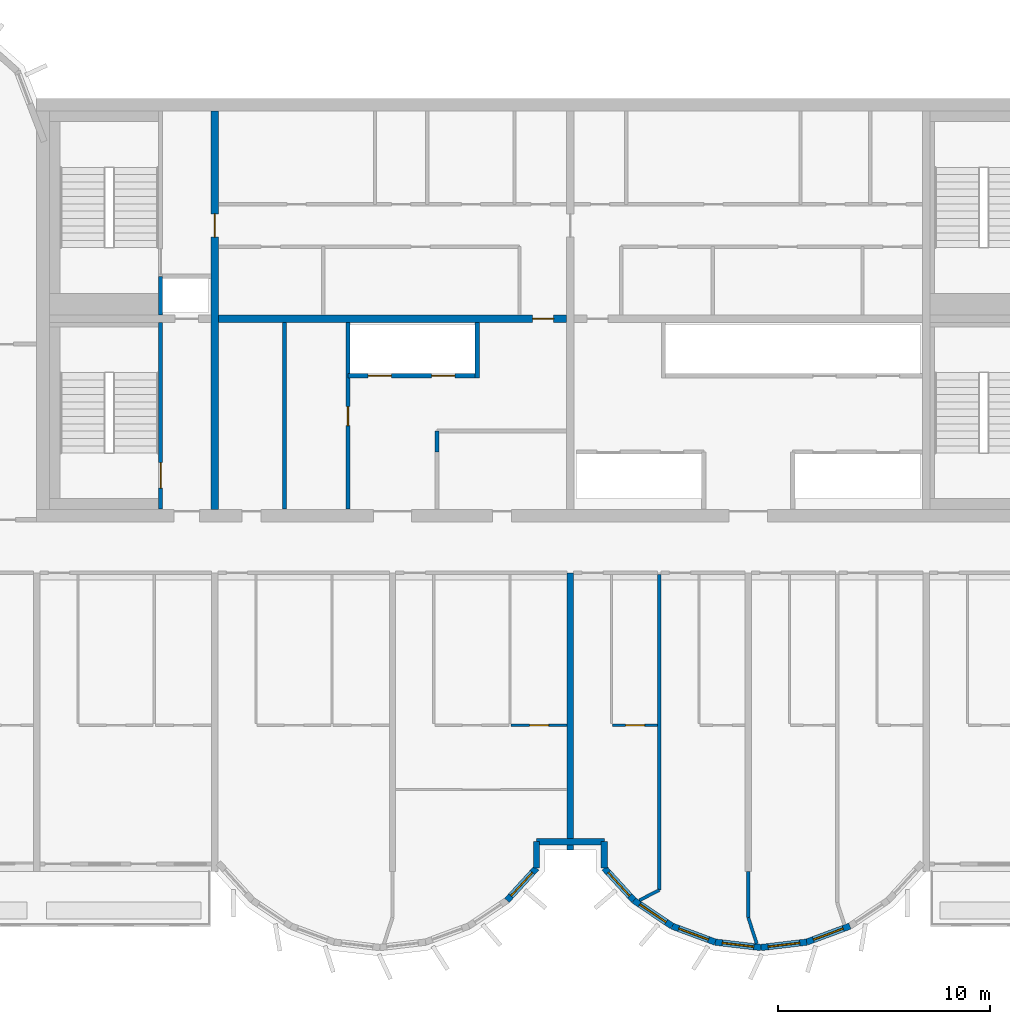
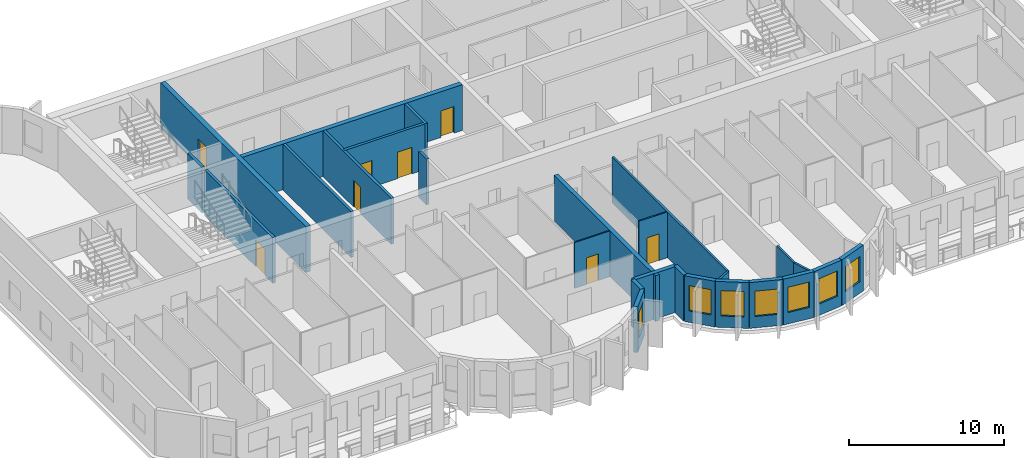
# One storey, part 4 of 12: 26 walls, 8 doors, 7 windows, 15 openings.
"""IFC4 building model written with IfcOpenShell, lengths in metres."""

from ifc_helpers import new_model, si_unit, direction, frame, frame_2d, origin, place, context, subcontext, project, spatial, rectangle, extrude, source, transform, mapped, material, layer, layer_set, type_object, element, fill, save


model = new_model("IFC4")

# Units and contexts
model_context = context("Model", 3, precision=1e-05, world=origin(), true_north=direction((0.0, 1.0)))
body_context = subcontext(model_context, "Body", "Model", "MODEL_VIEW")
ifc_project = project(units=[si_unit("LENGTHUNIT", "METRE"), si_unit("AREAUNIT", "SQUARE_METRE"), si_unit("VOLUMEUNIT", "CUBIC_METRE"), si_unit("PLANEANGLEUNIT", "RADIAN"), si_unit("MASSUNIT", "GRAM", prefix="KILO")], contexts=[model_context])

# Site, building, storey
site_placement = place(None, origin())
site = spatial("IfcSite", under=ifc_project, at=site_placement, CompositionType="ELEMENT")
building_placement = place(site_placement, origin())
building = spatial("IfcBuilding", under=site, at=building_placement, Name="Vanashikhar Sky Hotel", CompositionType="ELEMENT")
storey_placement = place(building_placement, frame((0.0, 0.0, 221.800048828125)))
storey = spatial("IfcBuildingStorey", under=building, at=storey_placement, Name="L53", CompositionType="ELEMENT", Elevation=221.800048828125)

# Wall, opening, door
ifc_material_1 = material(Name="Concrete M60", Category="concrete")
ifc_layer_1 = layer(ifc_material_1, 0.35009765625)
ifc_layer_set_1 = layer_set([ifc_layer_1], Name="RC core inner wall 350 Concrete M60")
wall_type_1 = type_object("IfcWallType", Name="RC core inner wall 350 Concrete M60", PredefinedType="SHEAR", material=ifc_layer_set_1)
shared_shape_1 = source(origin(), body_context, "Body", "SweptSolid", [
    extrude(rectangle(XDim=18.7998046875, YDim=0.35009765625, at=frame_2d((9.39990234375, 0.0))), origin(), (0.0, 0.0, 1.0), 3.619873046875),
])
wall_1_placement = place(storey_placement, frame((33.60009765625, 22.60009765625, 0.0), z_axis=(0.0, 0.0, 1.0), x_axis=(0.0, 1.0, 0.0)))
wall_1 = element("IfcWall", 1, at=wall_1_placement, inside=storey, type_object=wall_type_1, Name="KW-L53-KX1", PredefinedType="SHEAR", context=body_context, shape_type="MappedRepresentation", body=[
    mapped(shared_shape_1, transform((0.0, 0.0, 0.0), scale=1.0)),
])
shared_shape_2 = source(origin(), body_context, "Body", "SweptSolid", [
    extrude(rectangle(XDim=1.10009765625, YDim=2.10009765625, at=frame_2d((0.550048828125, 1.050048828125))), frame((0.0, 0.18505859375, 0.0), z_axis=(0.0, -1.0, 0.0), x_axis=(1.0, 0.0, 0.0)), (0.0, 0.0, 1.0), 0.3701171875),
])
opening_1_placement = place(wall_1_placement, frame((12.85009765625, 0.0, 0.0)))
opening_1 = element("IfcOpeningElement", 2, at=opening_1_placement, cuts=wall_1, Name="Opening DC-4-C", PredefinedType="OPENING", context=body_context, shape_type="MappedRepresentation", body=[
    mapped(shared_shape_2, transform((0.0, 0.0, 0.0), scale=1.0)),
])
ifc_material_2 = material(Name="Steel", Category="steel")
door_type_1 = type_object("IfcDoorType", Name="Service door 1100 FD60", OperationType="NOTDEFINED", PredefinedType="DOOR", material=ifc_material_2)
shared_shape_3 = source(origin(), body_context, "Body", "SweptSolid", [
    extrude(rectangle(XDim=1.10009765625, YDim=2.10009765625, at=frame_2d((0.550048828125, 1.050048828125))), frame((0.0, 0.02490234375, 0.0), z_axis=(0.0, -1.0, 0.0), x_axis=(1.0, 0.0, 0.0)), (0.0, 0.0, 1.0), 0.050048828125),
])
door_1_placement = place(opening_1_placement, origin())
door_1 = element("IfcDoor", 3, at=door_1_placement, inside=storey, type_object=door_type_1, Name="Service door 1100 FD60", OperationType="SINGLE_SWING_LEFT", OverallHeight=2.10009765625, OverallWidth=1.10009765625, PredefinedType="DOOR", context=body_context, shape_type="MappedRepresentation", body=[
    mapped(shared_shape_3, transform((0.0, 0.0, 0.0), scale=1.0)),
])
fill(opening_1, door_1)

shared_shape_4 = source(origin(), body_context, "Body", "SweptSolid", [
    extrude(rectangle(XDim=16.4501953125, YDim=0.35009765625, at=frame_2d((8.22509765625, 0.0))), origin(), (0.0, 0.0, 1.0), 3.619873046875),
])
wall_2_placement = place(storey_placement, frame((33.77490234375, 31.60009765625, 0.0), z_axis=(0.0, 0.0, 1.0), x_axis=(1.0, 0.0, 0.0)))
wall_2 = element("IfcWall", 4, at=wall_2_placement, inside=storey, type_object=wall_type_1, Name="KW-L53-KY2", PredefinedType="SHEAR", context=body_context, shape_type="MappedRepresentation", body=[
    mapped(shared_shape_4, transform((0.0, 0.0, 0.0), scale=1.0)),
])
shared_shape_5 = source(origin(), body_context, "Body", "SweptSolid", [
    extrude(rectangle(XDim=1.0, YDim=2.10009765625, at=frame_2d((0.5, 1.050048828125))), frame((0.0, 0.18505859375, 0.0), z_axis=(0.0, -1.0, 0.0), x_axis=(1.0, 0.0, 0.0)), (0.0, 0.0, 1.0), 0.3701171875),
])
opening_2_placement = place(wall_2_placement, frame((14.8369140625, 0.0, 0.0)))
opening_2 = element("IfcOpeningElement", 5, at=opening_2_placement, cuts=wall_2, Name="Opening DC-4", PredefinedType="OPENING", context=body_context, shape_type="MappedRepresentation", body=[
    mapped(shared_shape_5, transform((0.0, 0.0, 0.0), scale=1.0)),
])
door_type_2 = type_object("IfcDoorType", Name="Service door 1000 FD60", OperationType="NOTDEFINED", PredefinedType="DOOR", material=ifc_material_2)
shared_shape_6 = source(origin(), body_context, "Body", "SweptSolid", [
    extrude(rectangle(XDim=1.0, YDim=2.10009765625, at=frame_2d((0.5, 1.050048828125))), frame((0.0, 0.02490234375, 0.0), z_axis=(0.0, -1.0, 0.0), x_axis=(1.0, 0.0, 0.0)), (0.0, 0.0, 1.0), 0.050048828125),
])
door_2_placement = place(opening_2_placement, origin())
door_2 = element("IfcDoor", 6, at=door_2_placement, inside=storey, type_object=door_type_2, Name="Service door 1000 FD60", OperationType="SINGLE_SWING_LEFT", OverallHeight=2.10009765625, OverallWidth=1.0, PredefinedType="DOOR", context=body_context, shape_type="MappedRepresentation", body=[
    mapped(shared_shape_6, transform((0.0, 0.0, 0.0), scale=1.0)),
])
fill(opening_2, door_2)

# Wall
ifc_layer_2 = layer(ifc_material_1, 0.300048828125)
ifc_layer_set_2 = layer_set([ifc_layer_2], Name="RC shear wall 300 Concrete M60")
wall_type_2 = type_object("IfcWallType", Name="RC shear wall 300 Concrete M60", PredefinedType="SHEAR", material=ifc_layer_set_2)
shared_shape_7 = source(origin(), body_context, "Body", "SweptSolid", [
    extrude(rectangle(XDim=13.10009765625, YDim=0.300048828125, at=frame_2d((6.550048828125, 0.0))), origin(), (0.0, 0.0, 1.0), 3.619873046875),
])
wall_3_placement = place(storey_placement, frame((50.39990234375, 6.5, 0.0), z_axis=(0.0, 0.0, 1.0), x_axis=(0.0, 1.0, 0.0)))
element("IfcWall", 7, at=wall_3_placement, inside=storey, type_object=wall_type_2, Name="CW-L53-XW07-1", PredefinedType="SHEAR", context=body_context, shape_type="MappedRepresentation", body=[
    mapped(shared_shape_7, transform((0.0, 0.0, 0.0), scale=1.0)),
])

# Wall, opening, window
ifc_material_3 = material(Name="Concrete M50", Category="concrete")
ifc_layer_3 = layer(ifc_material_3, 0.300048828125)
ifc_layer_set_3 = layer_set([ifc_layer_3], Name="Lobe wall 300")
wall_type_3 = type_object("IfcWallType", Name="Lobe wall 300", PredefinedType="SOLIDWALL", material=ifc_layer_set_3)
shared_shape_8 = source(origin(), body_context, "Body", "SweptSolid", [
    extrude(rectangle(XDim=2.17578125, YDim=0.300048828125, at=frame_2d((1.087890625, 0.0))), origin(), (0.0, 0.0, 1.0), 3.619873046875),
])
wall_4_placement = place(storey_placement, frame((53.395751953125, 4.13134765625, 0.0), z_axis=(0.0, 0.0, 1.0), x_axis=(0.829590746428, -0.558371913192, 0.0)))
wall_4 = element("IfcWall", 8, at=wall_4_placement, inside=storey, type_object=wall_type_3, Name="Lobe wall", PredefinedType="SOLIDWALL", context=body_context, shape_type="MappedRepresentation", body=[
    mapped(shared_shape_8, transform((0.0, 0.0, 0.0), scale=1.0)),
])
shared_shape_9 = source(origin(), body_context, "Body", "SweptSolid", [
    extrude(rectangle(XDim=1.5, YDim=2.0, at=frame_2d((0.75, 1.0))), frame((0.0, 0.16015625, 0.0), z_axis=(0.0, -1.0, 0.0), x_axis=(1.0, 0.0, 0.0)), (0.0, 0.0, 1.0), 0.320068359375),
])
opening_3_placement = place(wall_4_placement, frame((0.337890625, 0.0, 0.89990234375)))
opening_3 = element("IfcOpeningElement", 9, at=opening_3_placement, cuts=wall_4, Name="Opening WN-2", PredefinedType="OPENING", context=body_context, shape_type="MappedRepresentation", body=[
    mapped(shared_shape_9, transform((0.0, 0.0, 0.0), scale=1.0)),
])
ifc_material_4 = material(Name="Glass", Category="glass")
window_type = type_object("IfcWindowType", Name="Lobe window 1500 x 2000", PartitioningType="SINGLE_PANEL", PredefinedType="WINDOW", material=ifc_material_4)
shared_shape_10 = source(origin(), body_context, "Body", "SweptSolid", [
    extrude(rectangle(XDim=1.5, YDim=2.0, at=frame_2d((0.75, 1.0))), frame((0.0, 0.030029296875, 0.0), z_axis=(0.0, -1.0, 0.0), x_axis=(1.0, 0.0, 0.0)), (0.0, 0.0, 1.0), 0.06005859375),
])
window_1_placement = place(opening_3_placement, origin())
window_1 = element("IfcWindow", 10, at=window_1_placement, inside=storey, type_object=window_type, Name="Window WN-2", OverallHeight=2.0, OverallWidth=1.5, PartitioningType="SINGLE_PANEL", PredefinedType="WINDOW", context=body_context, shape_type="MappedRepresentation", body=[
    mapped(shared_shape_10, transform((0.0, 0.0, 0.0), scale=1.0)),
])
fill(opening_3, window_1)

wall_5_placement = place(storey_placement, frame((55.20068359375, 2.91650390625, 0.0), z_axis=(0.0, 0.0, 1.0), x_axis=(0.93754555999, -0.347862505801, 0.0)))
wall_5 = element("IfcWall", 11, at=wall_5_placement, inside=storey, type_object=wall_type_3, Name="Lobe wall", PredefinedType="SOLIDWALL", context=body_context, shape_type="MappedRepresentation", body=[
    mapped(shared_shape_8, transform((0.0, 0.0, 0.0), scale=1.0)),
])
opening_4_placement = place(wall_5_placement, frame((0.337890625, 0.0, 0.89990234375)))
opening_4 = element("IfcOpeningElement", 12, at=opening_4_placement, cuts=wall_5, Name="Opening WN-2", PredefinedType="OPENING", context=body_context, shape_type="MappedRepresentation", body=[
    mapped(shared_shape_9, transform((0.0, 0.0, 0.0), scale=1.0)),
])
window_2_placement = place(opening_4_placement, origin())
window_2 = element("IfcWindow", 13, at=window_2_placement, inside=storey, type_object=window_type, Name="Window WN-2", OverallHeight=2.0, OverallWidth=1.5, PartitioningType="SINGLE_PANEL", PredefinedType="WINDOW", context=body_context, shape_type="MappedRepresentation", body=[
    mapped(shared_shape_10, transform((0.0, 0.0, 0.0), scale=1.0)),
])
fill(opening_4, window_2)

shared_shape_11 = source(origin(), body_context, "Body", "SweptSolid", [
    extrude(rectangle(XDim=2.174560546875, YDim=0.300048828125, at=frame_2d((1.08740234375, 0.0))), origin(), (0.0, 0.0, 1.0), 3.619873046875),
])
wall_6_placement = place(storey_placement, frame((57.240478515625, 2.15966796875, 0.0), z_axis=(0.0, 0.0, 1.0), x_axis=(0.993001132889, -0.118104826659, 0.0)))
wall_6 = element("IfcWall", 14, at=wall_6_placement, inside=storey, type_object=wall_type_3, Name="Lobe wall", PredefinedType="SOLIDWALL", context=body_context, shape_type="MappedRepresentation", body=[
    mapped(shared_shape_11, transform((0.0, 0.0, 0.0), scale=1.0)),
])
opening_5_placement = place(wall_6_placement, frame((0.33740234375, 0.0, 0.89990234375)))
opening_5 = element("IfcOpeningElement", 15, at=opening_5_placement, cuts=wall_6, Name="Opening WN-2", PredefinedType="OPENING", context=body_context, shape_type="MappedRepresentation", body=[
    mapped(shared_shape_9, transform((0.0, 0.0, 0.0), scale=1.0)),
])
window_3_placement = place(opening_5_placement, origin())
window_3 = element("IfcWindow", 16, at=window_3_placement, inside=storey, type_object=window_type, Name="Window WN-2", OverallHeight=2.0, OverallWidth=1.5, PartitioningType="SINGLE_PANEL", PredefinedType="WINDOW", context=body_context, shape_type="MappedRepresentation", body=[
    mapped(shared_shape_10, transform((0.0, 0.0, 0.0), scale=1.0)),
])
fill(opening_5, window_3)

shared_shape_12 = source(origin(), body_context, "Body", "SweptSolid", [
    extrude(rectangle(XDim=2.1748046875, YDim=0.300048828125, at=frame_2d((1.08740234375, 0.0))), origin(), (0.0, 0.0, 1.0), 3.619873046875),
])
wall_7_placement = place(storey_placement, frame((59.39990234375, 1.90283203125, 0.0), z_axis=(0.0, 0.0, 1.0), x_axis=(0.993002698611, 0.118091661648, 0.0)))
wall_7 = element("IfcWall", 17, at=wall_7_placement, inside=storey, type_object=wall_type_3, Name="Lobe wall", PredefinedType="SOLIDWALL", context=body_context, shape_type="MappedRepresentation", body=[
    mapped(shared_shape_12, transform((0.0, 0.0, 0.0), scale=1.0)),
])
opening_6_placement = place(wall_7_placement, frame((0.33740234375, 0.0, 0.89990234375)))
opening_6 = element("IfcOpeningElement", 18, at=opening_6_placement, cuts=wall_7, Name="Opening WN-2", PredefinedType="OPENING", context=body_context, shape_type="MappedRepresentation", body=[
    mapped(shared_shape_9, transform((0.0, 0.0, 0.0), scale=1.0)),
])
window_4_placement = place(opening_6_placement, origin())
window_4 = element("IfcWindow", 19, at=window_4_placement, inside=storey, type_object=window_type, Name="Window WN-2", OverallHeight=2.0, OverallWidth=1.5, PartitioningType="SINGLE_PANEL", PredefinedType="WINDOW", context=body_context, shape_type="MappedRepresentation", body=[
    mapped(shared_shape_10, transform((0.0, 0.0, 0.0), scale=1.0)),
])
fill(opening_6, window_4)

shared_shape_13 = source(origin(), body_context, "Body", "SweptSolid", [
    extrude(rectangle(XDim=2.175537109375, YDim=0.300048828125, at=frame_2d((1.087890625, 0.0))), origin(), (0.0, 0.0, 1.0), 3.619873046875),
])
wall_8_placement = place(storey_placement, frame((61.5595703125, 2.15966796875, 0.0), z_axis=(0.0, 0.0, 1.0), x_axis=(0.937531979054, 0.347899106424, 0.0)))
wall_8 = element("IfcWall", 20, at=wall_8_placement, inside=storey, type_object=wall_type_3, Name="Lobe wall", PredefinedType="SOLIDWALL", context=body_context, shape_type="MappedRepresentation", body=[
    mapped(shared_shape_13, transform((0.0, 0.0, 0.0), scale=1.0)),
])
opening_7_placement = place(wall_8_placement, frame((0.337890625, 0.0, 0.89990234375)))
opening_7 = element("IfcOpeningElement", 21, at=opening_7_placement, cuts=wall_8, Name="Opening WN-2", PredefinedType="OPENING", context=body_context, shape_type="MappedRepresentation", body=[
    mapped(shared_shape_9, transform((0.0, 0.0, 0.0), scale=1.0)),
])
window_5_placement = place(opening_7_placement, origin())
window_5 = element("IfcWindow", 22, at=window_5_placement, inside=storey, type_object=window_type, Name="Window WN-2", OverallHeight=2.0, OverallWidth=1.5, PartitioningType="SINGLE_PANEL", PredefinedType="WINDOW", context=body_context, shape_type="MappedRepresentation", body=[
    mapped(shared_shape_10, transform((0.0, 0.0, 0.0), scale=1.0)),
])
fill(opening_7, window_5)

shared_shape_14 = source(origin(), body_context, "Body", "SweptSolid", [
    extrude(rectangle(XDim=2.066650390625, YDim=0.300048828125, at=frame_2d((1.033203125, 0.0))), origin(), (0.0, 0.0, 1.0), 3.619873046875),
])
wall_9_placement = place(storey_placement, frame((47.404296875, 4.13134765625, 0.0), z_axis=(0.0, 0.0, 1.0), x_axis=(0.675355439877, 0.737492393065, 0.0)))
wall_9 = element("IfcWall", 23, at=wall_9_placement, inside=storey, type_object=wall_type_3, Name="Lobe wall", PredefinedType="SOLIDWALL", context=body_context, shape_type="MappedRepresentation", body=[
    mapped(shared_shape_14, transform((0.0, 0.0, 0.0), scale=1.0)),
])
opening_8_placement = place(wall_9_placement, frame((0.283447265625, 0.0, 0.89990234375)))
opening_8 = element("IfcOpeningElement", 24, at=opening_8_placement, cuts=wall_9, Name="Opening WN-2", PredefinedType="OPENING", context=body_context, shape_type="MappedRepresentation", body=[
    mapped(shared_shape_9, transform((0.0, 0.0, 0.0), scale=1.0)),
])
window_6_placement = place(opening_8_placement, origin())
window_6 = element("IfcWindow", 25, at=window_6_placement, inside=storey, type_object=window_type, Name="Window WN-2", OverallHeight=2.0, OverallWidth=1.5, PartitioningType="SINGLE_PANEL", PredefinedType="WINDOW", context=body_context, shape_type="MappedRepresentation", body=[
    mapped(shared_shape_10, transform((0.0, 0.0, 0.0), scale=1.0)),
])
fill(opening_8, window_6)

wall_10_placement = place(storey_placement, frame((52.0, 5.655517578125, 0.0), z_axis=(0.0, 0.0, 1.0), x_axis=(0.675355439877, -0.737492393065, 0.0)))
wall_10 = element("IfcWall", 26, at=wall_10_placement, inside=storey, type_object=wall_type_3, Name="Lobe wall", PredefinedType="SOLIDWALL", context=body_context, shape_type="MappedRepresentation", body=[
    mapped(shared_shape_14, transform((0.0, 0.0, 0.0), scale=1.0)),
])
opening_9_placement = place(wall_10_placement, frame((0.283447265625, 0.0, 0.89990234375)))
opening_9 = element("IfcOpeningElement", 27, at=opening_9_placement, cuts=wall_10, Name="Opening WN-2", PredefinedType="OPENING", context=body_context, shape_type="MappedRepresentation", body=[
    mapped(shared_shape_9, transform((0.0, 0.0, 0.0), scale=1.0)),
])
window_7_placement = place(opening_9_placement, origin())
window_7 = element("IfcWindow", 28, at=window_7_placement, inside=storey, type_object=window_type, Name="Window WN-2", OverallHeight=2.0, OverallWidth=1.5, PartitioningType="SINGLE_PANEL", PredefinedType="WINDOW", context=body_context, shape_type="MappedRepresentation", body=[
    mapped(shared_shape_10, transform((0.0, 0.0, 0.0), scale=1.0)),
])
fill(opening_9, window_7)

# Walls
shared_shape_15 = source(origin(), body_context, "Body", "SweptSolid", [
    extrude(rectangle(XDim=1.244384765625, YDim=0.300048828125, at=frame_2d((0.6220703125, 0.0))), origin(), (0.0, 0.0, 1.0), 3.619873046875),
])
for number, where, z_axis, x_axis, name in (
    (29, (48.800048828125, 5.655517578125, 0.0), (0.0, 0.0, 1.0), (0.0, 1.0, 0.0), "Groove wall"),
    (30, (52.0, 6.89990234375, 0.0), (0.0, 0.0, 1.0), (0.0, -1.0, 0.0), "Groove wall"),
):
    element("IfcWall", number, at=place(storey_placement, frame(where, z_axis=z_axis, x_axis=x_axis)), inside=storey, type_object=wall_type_3, Name=name, PredefinedType="SOLIDWALL", context=body_context, shape_type="MappedRepresentation", body=[
        mapped(shared_shape_15, transform((0.0, 0.0, 0.0), scale=1.0)),
    ])
shared_shape_16 = source(origin(), body_context, "Body", "SweptSolid", [
    extrude(rectangle(XDim=3.199951171875, YDim=0.300048828125, at=frame_2d((1.60009765625, 0.0))), origin(), (0.0, 0.0, 1.0), 3.619873046875),
])
wall_11_placement = place(storey_placement, frame((48.800048828125, 6.89990234375, 0.0), z_axis=(0.0, 0.0, 1.0), x_axis=(1.0, 0.0, 0.0)))
element("IfcWall", 31, at=wall_11_placement, inside=storey, type_object=wall_type_3, Name="Groove wall", PredefinedType="SOLIDWALL", context=body_context, shape_type="MappedRepresentation", body=[
    mapped(shared_shape_16, transform((0.0, 0.0, 0.0), scale=1.0)),
])

# Wall, openings, doors
ifc_material_5 = material(Name="Concrete M40", Category="concrete")
ifc_layer_4 = layer(ifc_material_5, 0.199951171875)
ifc_layer_set_4 = layer_set([ifc_layer_4], Name="Shaft wall 200")
wall_type_4 = type_object("IfcWallType", Name="Shaft wall 200", PredefinedType="SOLIDWALL", material=ifc_layer_set_4)
shared_shape_17 = source(origin(), body_context, "Body", "SweptSolid", [
    extrude(rectangle(XDim=6.0, YDim=0.199951171875, at=frame_2d((3.0, 0.0))), origin(), (0.0, 0.0, 1.0), 3.619873046875),
])
wall_12_placement = place(storey_placement, frame((39.89990234375, 28.89990234375, 0.0), z_axis=(0.0, 0.0, 1.0), x_axis=(1.0, 0.0, 0.0)))
wall_12 = element("IfcWall", 32, at=wall_12_placement, inside=storey, type_object=wall_type_4, Name="Shaft wall 200", PredefinedType="SOLIDWALL", context=body_context, shape_type="MappedRepresentation", body=[
    mapped(shared_shape_17, transform((0.0, 0.0, 0.0), scale=1.0)),
])
shared_shape_18 = source(origin(), body_context, "Body", "SweptSolid", [
    extrude(rectangle(XDim=1.10009765625, YDim=2.10009765625, at=frame_2d((0.550048828125, 1.050048828125))), frame((0.0, 0.10986328125, 0.0), z_axis=(0.0, -1.0, 0.0), x_axis=(1.0, 0.0, 0.0)), (0.0, 0.0, 1.0), 0.219970703125),
])
opening_10_placement = place(wall_12_placement, frame((0.949951171875, 0.0, 0.0)))
opening_10 = element("IfcOpeningElement", 33, at=opening_10_placement, cuts=wall_12, Name="Opening LD", PredefinedType="OPENING", context=body_context, shape_type="MappedRepresentation", body=[
    mapped(shared_shape_18, transform((0.0, 0.0, 0.0), scale=1.0)),
])
opening_11_placement = place(wall_12_placement, frame((3.949951171875, 0.0, 0.0)))
opening_11 = element("IfcOpeningElement", 34, at=opening_11_placement, cuts=wall_12, Name="Opening LD", PredefinedType="OPENING", context=body_context, shape_type="MappedRepresentation", body=[
    mapped(shared_shape_18, transform((0.0, 0.0, 0.0), scale=1.0)),
])
ifc_material_6 = material(Name="Stainless steel", Category="steel")
door_type_3 = type_object("IfcDoorType", Name="Lift landing door 1100", OperationType="NOTDEFINED", PredefinedType="DOOR", material=ifc_material_6)
door_3_placement = place(opening_10_placement, origin())
door_3 = element("IfcDoor", 35, at=door_3_placement, inside=storey, type_object=door_type_3, Name="Lift landing door 1100", OperationType="SLIDING_TO_LEFT", OverallHeight=2.10009765625, OverallWidth=1.10009765625, PredefinedType="DOOR", context=body_context, shape_type="MappedRepresentation", body=[
    mapped(shared_shape_3, transform((0.0, 0.0, 0.0), scale=1.0)),
])
fill(opening_10, door_3)
door_4_placement = place(opening_11_placement, origin())
door_4 = element("IfcDoor", 36, at=door_4_placement, inside=storey, type_object=door_type_3, Name="Lift landing door 1100", OperationType="SLIDING_TO_RIGHT", OverallHeight=2.10009765625, OverallWidth=1.10009765625, PredefinedType="DOOR", context=body_context, shape_type="MappedRepresentation", body=[
    mapped(shared_shape_3, transform((0.0, 0.0, 0.0), scale=1.0)),
])
fill(opening_11, door_4)

# Wall, opening, door
ifc_material_7 = material(Name="Gypsum board partition")
ifc_layer_5 = layer(ifc_material_7, 0.14990234375)
ifc_layer_set_5 = layer_set([ifc_layer_5], Name="Service partition 150")
wall_type_5 = type_object("IfcWallType", Name="Service partition 150", PredefinedType="PARTITIONING", material=ifc_layer_set_5)
shared_shape_19 = source(origin(), body_context, "Body", "SweptSolid", [
    extrude(rectangle(XDim=8.824951171875, YDim=0.199951171875, at=frame_2d((4.41259765625, 0.0))), origin(), (0.0, 0.0, 1.0), 3.619873046875),
])
wall_13_placement = place(storey_placement, frame((39.89990234375, 22.60009765625, 0.0), z_axis=(0.0, 0.0, 1.0), x_axis=(0.0, 1.0, 0.0)))
wall_13 = element("IfcWall", 37, at=wall_13_placement, inside=storey, type_object=wall_type_5, Name="Service partition 150", PredefinedType="PARTITIONING", context=body_context, shape_type="MappedRepresentation", body=[
    mapped(shared_shape_19, transform((0.0, 0.0, 0.0), scale=1.0)),
])
shared_shape_20 = source(origin(), body_context, "Body", "SweptSolid", [
    extrude(rectangle(XDim=0.89990234375, YDim=2.10009765625, at=frame_2d((0.449951171875, 1.050048828125))), frame((0.0, 0.10986328125, 0.0), z_axis=(0.0, -1.0, 0.0), x_axis=(1.0, 0.0, 0.0)), (0.0, 0.0, 1.0), 0.219970703125),
])
opening_12_placement = place(wall_13_placement, frame((3.949951171875, 0.0, 0.0)))
opening_12 = element("IfcOpeningElement", 38, at=opening_12_placement, cuts=wall_13, Name="Opening DC-4-A", PredefinedType="OPENING", context=body_context, shape_type="MappedRepresentation", body=[
    mapped(shared_shape_20, transform((0.0, 0.0, 0.0), scale=1.0)),
])
door_type_4 = type_object("IfcDoorType", Name="Service door 900 FD60", OperationType="NOTDEFINED", PredefinedType="DOOR", material=ifc_material_2)
shared_shape_21 = source(origin(), body_context, "Body", "SweptSolid", [
    extrude(rectangle(XDim=0.89990234375, YDim=2.10009765625, at=frame_2d((0.449951171875, 1.050048828125))), frame((0.0, 0.02490234375, 0.0), z_axis=(0.0, -1.0, 0.0), x_axis=(1.0, 0.0, 0.0)), (0.0, 0.0, 1.0), 0.050048828125),
])
door_5_placement = place(opening_12_placement, origin())
door_5 = element("IfcDoor", 39, at=door_5_placement, inside=storey, type_object=door_type_4, Name="Service door 900 FD60", OperationType="SINGLE_SWING_LEFT", OverallHeight=2.10009765625, OverallWidth=0.89990234375, PredefinedType="DOOR", context=body_context, shape_type="MappedRepresentation", body=[
    mapped(shared_shape_21, transform((0.0, 0.0, 0.0), scale=1.0)),
])
fill(opening_12, door_5)

# Walls
wall_14_placement = place(storey_placement, frame((36.89990234375, 22.60009765625, 0.0), z_axis=(0.0, 0.0, 1.0), x_axis=(0.0, 1.0, 0.0)))
element("IfcWall", 40, at=wall_14_placement, inside=storey, type_object=wall_type_5, Name="Service partition 150", PredefinedType="PARTITIONING", context=body_context, shape_type="MappedRepresentation", body=[
    mapped(shared_shape_19, transform((0.0, 0.0, 0.0), scale=1.0)),
])
shared_shape_22 = source(origin(), body_context, "Body", "SweptSolid", [
    extrude(rectangle(XDim=2.625, YDim=0.199951171875, at=frame_2d((1.3125, 0.0))), origin(), (0.0, 0.0, 1.0), 3.619873046875),
])
wall_15_placement = place(storey_placement, frame((46.0, 28.800048828125, 0.0), z_axis=(0.0, 0.0, 1.0), x_axis=(0.0, 1.0, 0.0)))
element("IfcWall", 41, at=wall_15_placement, inside=storey, type_object=wall_type_4, Name="Shaft wall 200", PredefinedType="SOLIDWALL", context=body_context, shape_type="MappedRepresentation", body=[
    mapped(shared_shape_22, transform((0.0, 0.0, 0.0), scale=1.0)),
])
shared_shape_23 = source(origin(), body_context, "Body", "SweptSolid", [
    extrude(rectangle(XDim=1.0, YDim=0.199951171875, at=frame_2d((0.5, 0.0))), origin(), (0.0, 0.0, 1.0), 3.619873046875),
])
wall_16_placement = place(storey_placement, frame((44.10009765625, 25.300048828125, 0.0), z_axis=(0.0, 0.0, 1.0), x_axis=(0.0, 1.0, 0.0)))
element("IfcWall", 42, at=wall_16_placement, inside=storey, type_object=wall_type_5, Name="Service partition 150", PredefinedType="PARTITIONING", context=body_context, shape_type="MappedRepresentation", body=[
    mapped(shared_shape_23, transform((0.0, 0.0, 0.0), scale=1.0)),
])

# Wall, opening, door
ifc_layer_6 = layer(ifc_material_3, 0.199951171875)
ifc_layer_set_6 = layer_set([ifc_layer_6], Name="Stair wall 200")
wall_type_6 = type_object("IfcWallType", Name="Stair wall 200", PredefinedType="SOLIDWALL", material=ifc_layer_set_6)
shared_shape_24 = source(origin(), body_context, "Body", "SweptSolid", [
    extrude(rectangle(XDim=8.824951171875, YDim=0.199951171875, at=frame_2d((4.41259765625, 0.0))), origin(), (0.0, 0.0, 1.0), 3.619873046875),
])
wall_17_placement = place(storey_placement, frame((31.050048828125, 22.60009765625, 0.0), z_axis=(0.0, 0.0, 1.0), x_axis=(0.0, 1.0, 0.0)))
wall_17 = element("IfcWall", 43, at=wall_17_placement, inside=storey, type_object=wall_type_6, Name="Stair wall 200", PredefinedType="SOLIDWALL", context=body_context, shape_type="MappedRepresentation", body=[
    mapped(shared_shape_24, transform((0.0, 0.0, 0.0), scale=1.0)),
])
shared_shape_25 = source(origin(), body_context, "Body", "SweptSolid", [
    extrude(rectangle(XDim=1.199951171875, YDim=2.10009765625, at=frame_2d((0.60009765625, 1.050048828125))), frame((0.0, 0.10986328125, 0.0), z_axis=(0.0, -1.0, 0.0), x_axis=(1.0, 0.0, 0.0)), (0.0, 0.0, 1.0), 0.219970703125),
])
opening_13_placement = place(wall_17_placement, frame((1.0, 0.0, 0.0)))
opening_13 = element("IfcOpeningElement", 44, at=opening_13_placement, cuts=wall_17, Name="Opening DC-1", PredefinedType="OPENING", context=body_context, shape_type="MappedRepresentation", body=[
    mapped(shared_shape_25, transform((0.0, 0.0, 0.0), scale=1.0)),
])
door_type_5 = type_object("IfcDoorType", Name="Stair door 1200 FD120", OperationType="NOTDEFINED", PredefinedType="DOOR", material=ifc_material_2)
shared_shape_26 = source(origin(), body_context, "Body", "SweptSolid", [
    extrude(rectangle(XDim=1.199951171875, YDim=2.10009765625, at=frame_2d((0.60009765625, 1.050048828125))), frame((0.0, 0.02490234375, 0.0), z_axis=(0.0, -1.0, 0.0), x_axis=(1.0, 0.0, 0.0)), (0.0, 0.0, 1.0), 0.050048828125),
])
door_6_placement = place(opening_13_placement, origin())
door_6 = element("IfcDoor", 45, at=door_6_placement, inside=storey, type_object=door_type_5, Name="Stair door 1200 FD120", OperationType="SINGLE_SWING_LEFT", OverallHeight=2.10009765625, OverallWidth=1.199951171875, PredefinedType="DOOR", context=body_context, shape_type="MappedRepresentation", body=[
    mapped(shared_shape_26, transform((0.0, 0.0, 0.0), scale=1.0)),
])
fill(opening_13, door_6)

# Wall
shared_shape_27 = source(origin(), body_context, "Body", "SweptSolid", [
    extrude(rectangle(XDim=1.8251953125, YDim=0.199951171875, at=frame_2d((0.91259765625, 0.0))), origin(), (0.0, 0.0, 1.0), 3.619873046875),
])
wall_18_placement = place(storey_placement, frame((31.050048828125, 31.77490234375, 0.0), z_axis=(0.0, 0.0, 1.0), x_axis=(0.0, 1.0, 0.0)))
element("IfcWall", 46, at=wall_18_placement, inside=storey, type_object=wall_type_4, Name="Shaft wall 200", PredefinedType="SOLIDWALL", context=body_context, shape_type="MappedRepresentation", body=[
    mapped(shared_shape_27, transform((0.0, 0.0, 0.0), scale=1.0)),
])

# Wall, opening, door
ifc_material_8 = material(Name="Gypsum plasterboard partition")
ifc_layer_7 = layer(ifc_material_8, 0.10009765625)
ifc_layer_set_7 = layer_set([ifc_layer_7], Name="Wet room partition 100")
wall_type_7 = type_object("IfcWallType", Name="Wet room partition 100", PredefinedType="PARTITIONING", material=ifc_layer_set_7)
shared_shape_28 = source(origin(), body_context, "Body", "SweptSolid", [
    extrude(rectangle(XDim=2.125, YDim=0.10009765625, at=frame_2d((1.0625, 0.0))), origin(), (0.0, 0.0, 1.0), 3.619873046875),
])
wall_19_placement = place(storey_placement, frame((52.39990234375, 12.39990234375, 0.0), z_axis=(0.0, 0.0, 1.0), x_axis=(1.0, 0.0, 0.0)))
wall_19 = element("IfcWall", 47, at=wall_19_placement, inside=storey, type_object=wall_type_7, Name="W-L53-PW025", PredefinedType="PARTITIONING", context=body_context, shape_type="MappedRepresentation", body=[
    mapped(shared_shape_28, transform((0.0, 0.0, 0.0), scale=1.0)),
])
shared_shape_29 = source(origin(), body_context, "Body", "SweptSolid", [
    extrude(rectangle(XDim=0.89990234375, YDim=2.10009765625, at=frame_2d((0.449951171875, 1.050048828125))), frame((0.0, 0.06005859375, 0.0), z_axis=(0.0, -1.0, 0.0), x_axis=(1.0, 0.0, 0.0)), (0.0, 0.0, 1.0), 0.1201171875),
])
opening_14_placement = place(wall_19_placement, frame((0.612060546875, 0.0, 0.0)))
opening_14 = element("IfcOpeningElement", 48, at=opening_14_placement, cuts=wall_19, Name="Opening D-02", PredefinedType="OPENING", context=body_context, shape_type="MappedRepresentation", body=[
    mapped(shared_shape_29, transform((0.0, 0.0, 0.0), scale=1.0)),
])
ifc_material_9 = material(Name="Timber door", Category="wood")
door_type_6 = type_object("IfcDoorType", Name="Internal door 900", OperationType="NOTDEFINED", PredefinedType="DOOR", material=ifc_material_9)
door_7_placement = place(opening_14_placement, origin())
door_7 = element("IfcDoor", 49, at=door_7_placement, inside=storey, type_object=door_type_6, Name="D-L53-015", OperationType="SINGLE_SWING_LEFT", OverallHeight=2.10009765625, OverallWidth=0.89990234375, PredefinedType="DOOR", context=body_context, shape_type="MappedRepresentation", body=[
    mapped(shared_shape_21, transform((0.0, 0.0, 0.0), scale=1.0)),
])
fill(opening_14, door_7)

shared_shape_30 = source(origin(), body_context, "Body", "SweptSolid", [
    extrude(rectangle(XDim=2.64990234375, YDim=0.10009765625, at=frame_2d((1.324951171875, 0.0))), origin(), (0.0, 0.0, 1.0), 3.619873046875),
])
wall_20_placement = place(storey_placement, frame((47.60009765625, 12.39990234375, 0.0), z_axis=(0.0, 0.0, 1.0), x_axis=(1.0, 0.0, 0.0)))
wall_20 = element("IfcWall", 50, at=wall_20_placement, inside=storey, type_object=wall_type_7, Name="W-L53-PW021", PredefinedType="PARTITIONING", context=body_context, shape_type="MappedRepresentation", body=[
    mapped(shared_shape_30, transform((0.0, 0.0, 0.0), scale=1.0)),
])
opening_15_placement = place(wall_20_placement, frame((0.875, 0.0, 0.0)))
opening_15 = element("IfcOpeningElement", 51, at=opening_15_placement, cuts=wall_20, Name="Opening D-02", PredefinedType="OPENING", context=body_context, shape_type="MappedRepresentation", body=[
    mapped(shared_shape_29, transform((0.0, 0.0, 0.0), scale=1.0)),
])
door_8_placement = place(opening_15_placement, origin())
door_8 = element("IfcDoor", 52, at=door_8_placement, inside=storey, type_object=door_type_6, Name="D-L53-012", OperationType="SINGLE_SWING_LEFT", OverallHeight=2.10009765625, OverallWidth=0.89990234375, PredefinedType="DOOR", context=body_context, shape_type="MappedRepresentation", body=[
    mapped(shared_shape_21, transform((0.0, 0.0, 0.0), scale=1.0)),
])
fill(opening_15, door_8)

# Walls
ifc_layer_8 = layer(ifc_material_8, 0.14990234375)
ifc_layer_set_8 = layer_set([ifc_layer_8], Name="Corridor and demising partition 150")
wall_type_8 = type_object("IfcWallType", Name="Corridor and demising partition 150", PredefinedType="PARTITIONING", material=ifc_layer_set_8)
shared_shape_31 = source(origin(), body_context, "Body", "SweptSolid", [
    extrude(rectangle(XDim=14.906005859375, YDim=0.14990234375, at=frame_2d((7.453125, 0.0))), origin(), (0.0, 0.0, 1.0), 3.619873046875),
])
wall_21_placement = place(storey_placement, frame((54.60009765625, 4.618896484375, 0.0), z_axis=(0.0, 0.0, 1.0), x_axis=(0.0, 1.0, 0.0)))
element("IfcWall", 53, at=wall_21_placement, inside=storey, type_object=wall_type_8, Name="W-L53-PW030", PredefinedType="PARTITIONING", context=body_context, shape_type="MappedRepresentation", body=[
    mapped(shared_shape_31, transform((0.0, 0.0, 0.0), scale=1.0)),
])
shared_shape_32 = source(origin(), body_context, "Body", "SweptSolid", [
    extrude(rectangle(XDim=2.177978515625, YDim=0.14990234375, at=frame_2d((1.0888671875, 0.0))), origin(), (0.0, 0.0, 1.0), 3.619873046875),
])
wall_22_placement = place(storey_placement, frame((58.800048828125, 3.322021484375, 0.0), z_axis=(0.0, 0.0, 1.0), x_axis=(0.0, 1.0, 0.0)))
element("IfcWall", 54, at=wall_22_placement, inside=storey, type_object=wall_type_8, Name="W-L53-PW051", PredefinedType="PARTITIONING", context=body_context, shape_type="MappedRepresentation", body=[
    mapped(shared_shape_32, transform((0.0, 0.0, 0.0), scale=1.0)),
])
shared_shape_33 = source(origin(), body_context, "Body", "SweptSolid", [
    extrude(rectangle(XDim=1.057861328125, YDim=0.14990234375, at=frame_2d((0.52880859375, 0.0))), origin(), (0.0, 0.0, 1.0), 3.619873046875),
])
wall_23_placement = place(storey_placement, frame((53.659912109375, 4.134033203125, 0.0), z_axis=(0.0, 0.0, 1.0), x_axis=(0.888772319209, 0.458348955063, 0.0)))
element("IfcWall", 55, at=wall_23_placement, inside=storey, type_object=wall_type_8, Name="W-L53-PW030B0", PredefinedType="PARTITIONING", context=body_context, shape_type="MappedRepresentation", body=[
    mapped(shared_shape_33, transform((0.0, 0.0, 0.0), scale=1.0)),
])
shared_shape_34 = source(origin(), body_context, "Body", "SweptSolid", [
    extrude(rectangle(XDim=1.308349609375, YDim=0.14990234375, at=frame_2d((0.654296875, 0.0))), origin(), (0.0, 0.0, 1.0), 3.619873046875),
])
wall_24_placement = place(storey_placement, frame((59.201904296875, 2.076904296875, 0.0), z_axis=(0.0, 0.0, 1.0), x_axis=(-0.307144529633, 0.951662880392, 0.0)))
element("IfcWall", 56, at=wall_24_placement, inside=storey, type_object=wall_type_8, Name="W-L53-PW051B0", PredefinedType="PARTITIONING", context=body_context, shape_type="MappedRepresentation", body=[
    mapped(shared_shape_34, transform((0.0, 0.0, 0.0), scale=1.0)),
])

save(model, "model.ifc")
